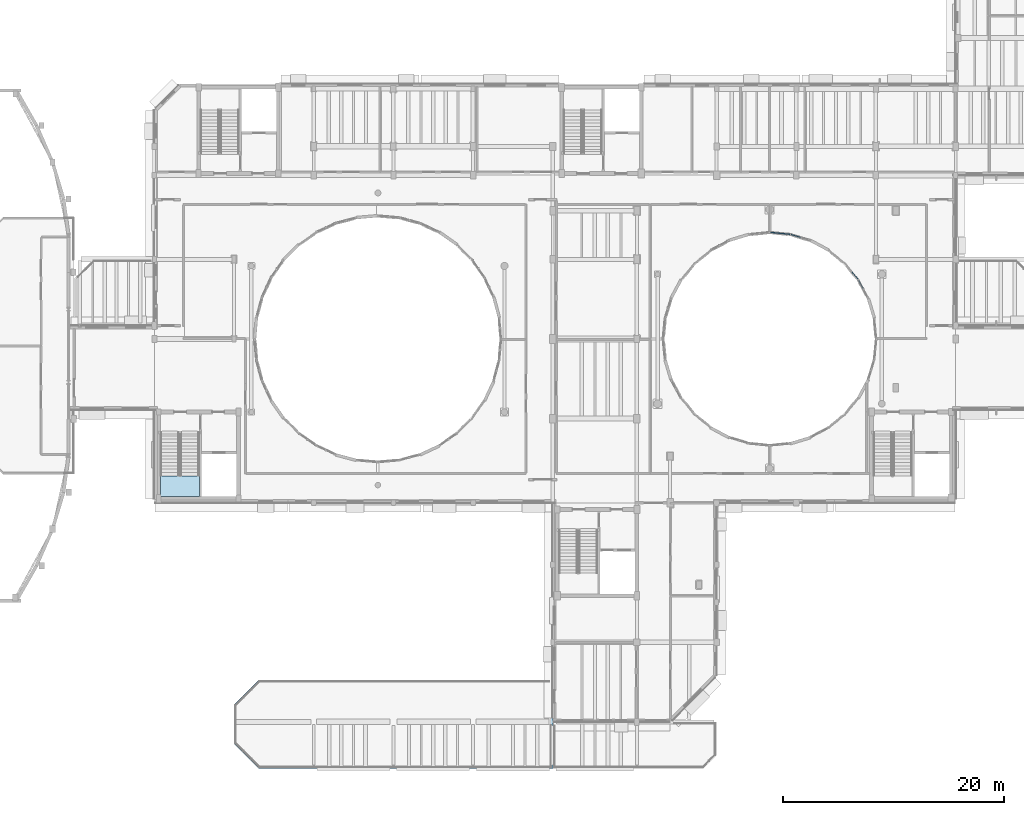
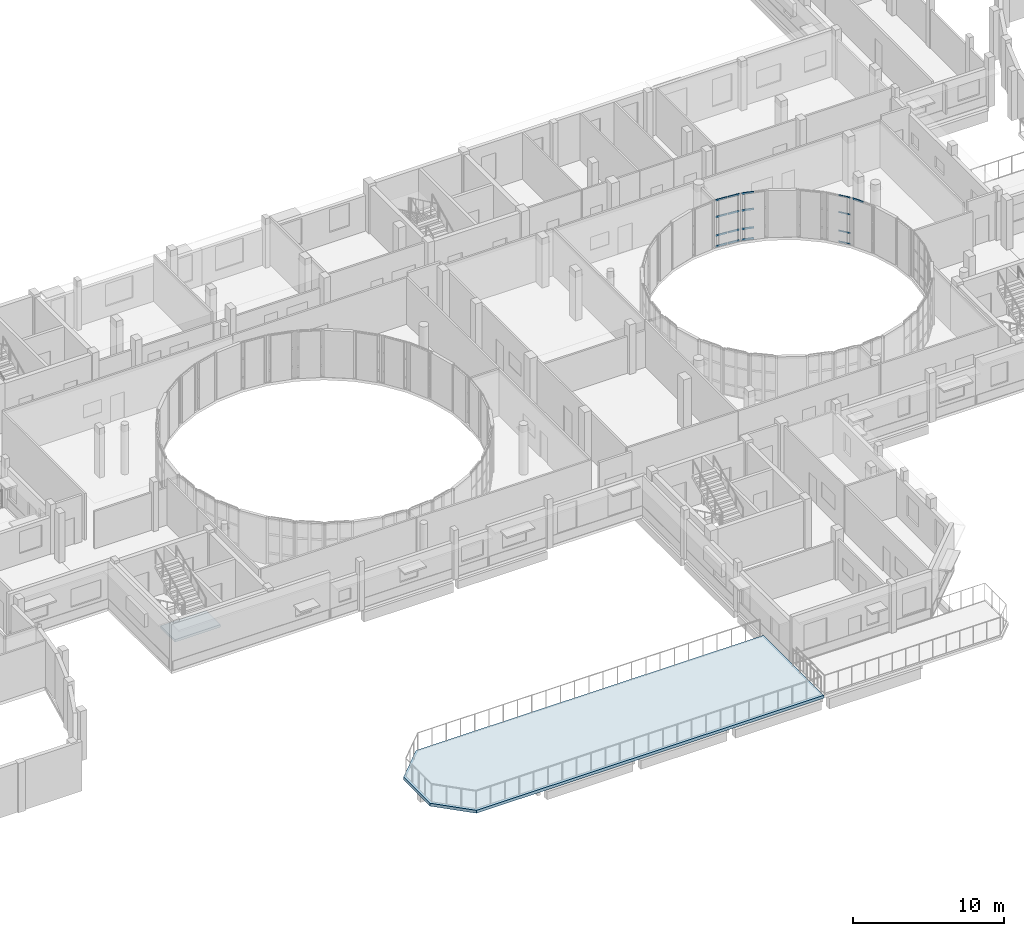
# One storey, part 53 of 92: 17 members, 2 slabs, 5 elements without a shape of their own.
"""IFC4 building model written with IfcOpenShell, lengths in metres."""

from ifc_helpers import new_model, si_unit, direction, frame, origin, origin_2d, place, context, subcontext, project, spatial, polyline, hollow_rectangle, outline, extrude, material, layer, layer_set, material_profile, profile_set, type_object, element, aggregate, save


model = new_model("IFC4")

# Units and contexts
model_context = context("Model", 3, precision=1e-05, world=origin(), true_north=direction((0.0, 1.0)))
body_context = subcontext(model_context, "Body", "Model", "MODEL_VIEW")
ifc_project = project(units=[si_unit("LENGTHUNIT", "METRE"), si_unit("AREAUNIT", "SQUARE_METRE"), si_unit("VOLUMEUNIT", "CUBIC_METRE"), si_unit("PLANEANGLEUNIT", "RADIAN"), si_unit("MASSUNIT", "GRAM", prefix="KILO")], contexts=[model_context])

# Site, building, storey
site_placement = place(None, origin())
site = spatial("IfcSite", under=ifc_project, at=site_placement, CompositionType="ELEMENT")
building_placement = place(site_placement, origin())
building = spatial("IfcBuilding", under=site, at=building_placement, Name="Kelanivale Promenade Academy", CompositionType="ELEMENT")
storey_placement = place(building_placement, frame((0.0, 0.0, 8.199951171875)))
storey = spatial("IfcBuildingStorey", under=building, at=storey_placement, Name="L02", CompositionType="ELEMENT", Elevation=8.199951171875)

# Curtain wall, members
ifc_material_1 = material(Name="Bronze anodised aluminium and solar-control low-E glass", Category="aluminium")
ifc_layer_1 = layer(ifc_material_1, 0.159912109375)
ifc_layer_set_1 = layer_set([ifc_layer_1], Name="Bronze anodised aluminium and solar-control low-E glass")
curtain_wall_type_1 = type_object("IfcCurtainWallType", Name="CW-09 Curtain Wall 1650mm Module", PredefinedType="USERDEFINED", material=ifc_layer_set_1)
curtain_wall_1_placement = place(storey_placement, origin())
curtain_wall_1 = element("IfcCurtainWall", 1, at=curtain_wall_1_placement, inside=storey, type_object=curtain_wall_type_1, Name="L02 courtyard curtain wall CW-09", ObjectType="UNITISED GLAZING", PredefinedType="USERDEFINED")
ifc_material_2 = material(Name="Bronze anodised aluminium EN AW-6063 T6", Category="aluminium")
ifc_material_profile_1 = material_profile(ifc_material_2, hollow_rectangle(XDim=0.050048828125, YDim=0.10009765625, WallThickness=0.0029296875, at=origin_2d()), Name="ALU 50x100x3.0")
ifc_profile_set_1 = profile_set([ifc_material_profile_1], Name="Bronze anodised aluminium EN AW-6063 T6")
member_type_1 = type_object("IfcMemberType", Name="CWT-01 ALU 50x100x3.0", PredefinedType="USERDEFINED", material=ifc_profile_set_1)
member_1_placement = place(storey_placement, frame((106.76904296875, 62.21337890625, 0.025146484375), z_axis=(-0.634169827677, 0.773193785324, 0.0), x_axis=(-0.773193785324, -0.634169827677, 0.0)))
member_1 = element("IfcMember", 2, at=member_1_placement, type_object=member_type_1, Name="CW-09 transom 1.1", ObjectType="TRANSOM", PredefinedType="USERDEFINED", context=body_context, shape_type="SweptSolid", body=[
    extrude(hollow_rectangle(XDim=0.050048828125, YDim=0.10009765625, WallThickness=0.0029296875, at=origin_2d()), origin(), (0.0, 0.0, 1.0), 0.841064453125),
])
member_2_placement = place(storey_placement, frame((106.76904296875, 62.21337890625, 0.900146484375), z_axis=(-0.634169827677, 0.773193785324, 0.0), x_axis=(-0.773193785324, -0.634169827677, 0.0)))
member_2 = element("IfcMember", 3, at=member_2_placement, type_object=member_type_1, Name="CW-09 transom 1.2", ObjectType="TRANSOM", PredefinedType="USERDEFINED", context=body_context, shape_type="SweptSolid", body=[
    extrude(hollow_rectangle(XDim=0.050048828125, YDim=0.10009765625, WallThickness=0.0029296875, at=origin_2d()), origin(), (0.0, 0.0, 1.0), 0.841064453125),
])
member_3_placement = place(storey_placement, frame((106.76904296875, 62.21337890625, 2.400146484375), z_axis=(-0.634169827677, 0.773193785324, 0.0), x_axis=(-0.773193785324, -0.634169827677, 0.0)))
member_3 = element("IfcMember", 4, at=member_3_placement, type_object=member_type_1, Name="CW-09 transom 1.3", ObjectType="TRANSOM", PredefinedType="USERDEFINED", context=body_context, shape_type="SweptSolid", body=[
    extrude(hollow_rectangle(XDim=0.050048828125, YDim=0.10009765625, WallThickness=0.0029296875, at=origin_2d()), origin(), (0.0, 0.0, 1.0), 0.841064453125),
])
member_4_placement = place(storey_placement, frame((106.76904296875, 62.21337890625, 3.755126953125), z_axis=(-0.634169827677, 0.773193785324, 0.0), x_axis=(-0.773193785324, -0.634169827677, 0.0)))
member_4 = element("IfcMember", 5, at=member_4_placement, type_object=member_type_1, Name="CW-09 transom 1.4", ObjectType="TRANSOM", PredefinedType="USERDEFINED", context=body_context, shape_type="SweptSolid", body=[
    extrude(hollow_rectangle(XDim=0.050048828125, YDim=0.10009765625, WallThickness=0.0029296875, at=origin_2d()), origin(), (0.0, 0.0, 1.0), 0.841064453125),
])
aggregate(curtain_wall_1, [member_1, member_2, member_3, member_4])

ifc_layer_2 = layer(ifc_material_1, 0.179931640625)
ifc_layer_set_2 = layer_set([ifc_layer_2], Name="Bronze anodised aluminium and solar-control low-E glass")
curtain_wall_type_2 = type_object("IfcCurtainWallType", Name="CW-11 Curtain Wall 1950mm Module", PredefinedType="USERDEFINED", material=ifc_layer_set_2)
curtain_wall_2_placement = place(storey_placement, origin())
curtain_wall_2 = element("IfcCurtainWall", 6, at=curtain_wall_2_placement, inside=storey, type_object=curtain_wall_type_2, Name="L02 courtyard curtain wall CW-11", ObjectType="UNITISED GLAZING", PredefinedType="USERDEFINED")
ifc_material_profile_2 = material_profile(ifc_material_2, hollow_rectangle(XDim=0.050048828125, YDim=0.14990234375, WallThickness=0.00341796875, at=origin_2d()), Name="ALU 50x150x3.5")
ifc_profile_set_2 = profile_set([ifc_material_profile_2], Name="Bronze anodised aluminium EN AW-6063 T6")
member_type_2 = type_object("IfcMemberType", Name="CWT-03 ALU 50x150x3.5", PredefinedType="USERDEFINED", material=ifc_profile_set_2)
member_5_placement = place(storey_placement, frame((101.546875, 65.992431640625, 0.025146484375), z_axis=(-0.956984636742, 0.290138596258, 0.0), x_axis=(-0.290138596258, -0.956984636742, 0.0)))
member_5 = element("IfcMember", 7, at=member_5_placement, type_object=member_type_2, Name="CW-11 transom 2.1", ObjectType="TRANSOM", PredefinedType="USERDEFINED", context=body_context, shape_type="SweptSolid", body=[
    extrude(hollow_rectangle(XDim=0.050048828125, YDim=0.14990234375, WallThickness=0.00341796875, at=origin_2d()), origin(), (0.0, 0.0, 1.0), 0.826416015625),
])
member_6_placement = place(storey_placement, frame((101.546875, 65.992431640625, 0.900146484375), z_axis=(-0.956984636742, 0.290138596258, 0.0), x_axis=(-0.290138596258, -0.956984636742, 0.0)))
member_6 = element("IfcMember", 8, at=member_6_placement, type_object=member_type_2, Name="CW-11 transom 2.2", ObjectType="TRANSOM", PredefinedType="USERDEFINED", context=body_context, shape_type="SweptSolid", body=[
    extrude(hollow_rectangle(XDim=0.050048828125, YDim=0.14990234375, WallThickness=0.00341796875, at=origin_2d()), origin(), (0.0, 0.0, 1.0), 0.826416015625),
])
member_7_placement = place(storey_placement, frame((101.546875, 65.992431640625, 2.400146484375), z_axis=(-0.956984636742, 0.290138596258, 0.0), x_axis=(-0.290138596258, -0.956984636742, 0.0)))
member_7 = element("IfcMember", 9, at=member_7_placement, type_object=member_type_2, Name="CW-11 transom 2.3", ObjectType="TRANSOM", PredefinedType="USERDEFINED", context=body_context, shape_type="SweptSolid", body=[
    extrude(hollow_rectangle(XDim=0.050048828125, YDim=0.14990234375, WallThickness=0.00341796875, at=origin_2d()), origin(), (0.0, 0.0, 1.0), 0.826416015625),
])
member_8_placement = place(storey_placement, frame((101.546875, 65.992431640625, 3.755126953125), z_axis=(-0.956984636742, 0.290138596258, 0.0), x_axis=(-0.290138596258, -0.956984636742, 0.0)))
member_8 = element("IfcMember", 10, at=member_8_placement, type_object=member_type_2, Name="CW-11 transom 2.4", ObjectType="TRANSOM", PredefinedType="USERDEFINED", context=body_context, shape_type="SweptSolid", body=[
    extrude(hollow_rectangle(XDim=0.050048828125, YDim=0.14990234375, WallThickness=0.00341796875, at=origin_2d()), origin(), (0.0, 0.0, 1.0), 0.826416015625),
])
aggregate(curtain_wall_2, [member_5, member_6, member_7, member_8])

# Curtain wall, member
ifc_layer_3 = layer(ifc_material_1, 0.179931640625)
ifc_layer_set_3 = layer_set([ifc_layer_3], Name="Bronze anodised aluminium and solar-control low-E glass")
curtain_wall_type_3 = type_object("IfcCurtainWallType", Name="CW-08 Curtain Wall 1500mm Module", PredefinedType="USERDEFINED", material=ifc_layer_set_3)
curtain_wall_3_placement = place(storey_placement, origin())
curtain_wall_3 = element("IfcCurtainWall", 11, at=curtain_wall_3_placement, inside=storey, type_object=curtain_wall_type_3, Name="L02 courtyard curtain wall CW-08", ObjectType="UNITISED GLAZING", PredefinedType="USERDEFINED")
ifc_material_profile_3 = material_profile(ifc_material_2, hollow_rectangle(XDim=0.06005859375, YDim=0.139892578125, WallThickness=0.00341796875, at=origin_2d()), Name="ALU 60x140x3.5")
ifc_profile_set_3 = profile_set([ifc_material_profile_3], Name="Bronze anodised aluminium EN AW-6063 T6")
member_type_3 = type_object("IfcMemberType", Name="CWT-04 ALU 60x140x3.5", PredefinedType="USERDEFINED", material=ifc_profile_set_3)
member_9_placement = place(storey_placement, frame((107.2421875, 61.357666015625, 3.75), z_axis=(-0.471385192805, 0.881927434659, 0.0), x_axis=(-0.881927434659, -0.471385192805, 0.0)))
member_9 = element("IfcMember", 12, at=member_9_placement, type_object=member_type_3, Name="CW-08 transom 2.4", ObjectType="TRANSOM", PredefinedType="USERDEFINED", context=body_context, shape_type="SweptSolid", body=[
    extrude(hollow_rectangle(XDim=0.06005859375, YDim=0.139892578125, WallThickness=0.00341796875, at=origin_2d()), origin(), (0.0, 0.0, 1.0), 0.82666015625),
])
aggregate(curtain_wall_3, [member_9])

# Curtain wall, members
ifc_layer_4 = layer(ifc_material_1, 0.159912109375)
ifc_layer_set_4 = layer_set([ifc_layer_4], Name="Bronze anodised aluminium and solar-control low-E glass")
curtain_wall_type_4 = type_object("IfcCurtainWallType", Name="CW-12 Curtain Wall 1200mm Module", PredefinedType="USERDEFINED", material=ifc_layer_set_4)
curtain_wall_4_placement = place(storey_placement, origin())
curtain_wall_4 = element("IfcCurtainWall", 13, at=curtain_wall_4_placement, inside=storey, type_object=curtain_wall_type_4, Name="L02 courtyard curtain wall CW-12", ObjectType="UNITISED GLAZING", PredefinedType="USERDEFINED")
member_10_placement = place(storey_placement, frame((100.602294921875, 66.262451171875, 0.030029296875), z_axis=(-0.995172582537, 0.0981403636, 0.0), x_axis=(-0.0981403636, -0.995172582537, 0.0)))
member_10 = element("IfcMember", 14, at=member_10_placement, type_object=member_type_3, Name="CW-12 transom 1.1", ObjectType="TRANSOM", PredefinedType="USERDEFINED", context=body_context, shape_type="SweptSolid", body=[
    extrude(hollow_rectangle(XDim=0.06005859375, YDim=0.139892578125, WallThickness=0.00341796875, at=origin_2d()), origin(), (0.0, 0.0, 1.0), 0.833251953125),
])
member_11_placement = place(storey_placement, frame((100.602294921875, 66.262451171875, 0.900146484375), z_axis=(-0.995172582537, 0.0981403636, 0.0), x_axis=(-0.0981403636, -0.995172582537, 0.0)))
member_11 = element("IfcMember", 15, at=member_11_placement, type_object=member_type_3, Name="CW-12 transom 1.2", ObjectType="TRANSOM", PredefinedType="USERDEFINED", context=body_context, shape_type="SweptSolid", body=[
    extrude(hollow_rectangle(XDim=0.06005859375, YDim=0.139892578125, WallThickness=0.00341796875, at=origin_2d()), origin(), (0.0, 0.0, 1.0), 0.833251953125),
])
member_12_placement = place(storey_placement, frame((100.602294921875, 66.262451171875, 2.400146484375), z_axis=(-0.995172582537, 0.0981403636, 0.0), x_axis=(-0.0981403636, -0.995172582537, 0.0)))
member_12 = element("IfcMember", 16, at=member_12_placement, type_object=member_type_3, Name="CW-12 transom 1.3", ObjectType="TRANSOM", PredefinedType="USERDEFINED", context=body_context, shape_type="SweptSolid", body=[
    extrude(hollow_rectangle(XDim=0.06005859375, YDim=0.139892578125, WallThickness=0.00341796875, at=origin_2d()), origin(), (0.0, 0.0, 1.0), 0.833251953125),
])
member_13_placement = place(storey_placement, frame((100.602294921875, 66.262451171875, 3.75), z_axis=(-0.995172582537, 0.0981403636, 0.0), x_axis=(-0.0981403636, -0.995172582537, 0.0)))
member_13 = element("IfcMember", 17, at=member_13_placement, type_object=member_type_3, Name="CW-12 transom 1.4", ObjectType="TRANSOM", PredefinedType="USERDEFINED", context=body_context, shape_type="SweptSolid", body=[
    extrude(hollow_rectangle(XDim=0.06005859375, YDim=0.139892578125, WallThickness=0.00341796875, at=origin_2d()), origin(), (0.0, 0.0, 1.0), 0.833251953125),
])
member_14_placement = place(storey_placement, frame((99.708251953125, 66.3505859375, 0.030029296875), z_axis=(-0.995146766026, 0.098401799113, 0.0), x_axis=(-0.098401799113, -0.995146766026, 0.0)))
member_14 = element("IfcMember", 18, at=member_14_placement, type_object=member_type_3, Name="CW-12 transom 2.1", ObjectType="TRANSOM", PredefinedType="USERDEFINED", context=body_context, shape_type="SweptSolid", body=[
    extrude(hollow_rectangle(XDim=0.06005859375, YDim=0.139892578125, WallThickness=0.00341796875, at=origin_2d()), origin(), (0.0, 0.0, 1.0), 0.833740234375),
])
member_15_placement = place(storey_placement, frame((99.708251953125, 66.3505859375, 0.900146484375), z_axis=(-0.995146766026, 0.098401799113, 0.0), x_axis=(-0.098401799113, -0.995146766026, 0.0)))
member_15 = element("IfcMember", 19, at=member_15_placement, type_object=member_type_3, Name="CW-12 transom 2.2", ObjectType="TRANSOM", PredefinedType="USERDEFINED", context=body_context, shape_type="SweptSolid", body=[
    extrude(hollow_rectangle(XDim=0.06005859375, YDim=0.139892578125, WallThickness=0.00341796875, at=origin_2d()), origin(), (0.0, 0.0, 1.0), 0.833740234375),
])
member_16_placement = place(storey_placement, frame((99.708251953125, 66.3505859375, 2.400146484375), z_axis=(-0.995146766026, 0.098401799113, 0.0), x_axis=(-0.098401799113, -0.995146766026, 0.0)))
member_16 = element("IfcMember", 20, at=member_16_placement, type_object=member_type_3, Name="CW-12 transom 2.3", ObjectType="TRANSOM", PredefinedType="USERDEFINED", context=body_context, shape_type="SweptSolid", body=[
    extrude(hollow_rectangle(XDim=0.06005859375, YDim=0.139892578125, WallThickness=0.00341796875, at=origin_2d()), origin(), (0.0, 0.0, 1.0), 0.833740234375),
])
member_17_placement = place(storey_placement, frame((99.708251953125, 66.3505859375, 3.75), z_axis=(-0.995146766026, 0.098401799113, 0.0), x_axis=(-0.098401799113, -0.995146766026, 0.0)))
member_17 = element("IfcMember", 21, at=member_17_placement, type_object=member_type_3, Name="CW-12 transom 2.4", ObjectType="TRANSOM", PredefinedType="USERDEFINED", context=body_context, shape_type="SweptSolid", body=[
    extrude(hollow_rectangle(XDim=0.06005859375, YDim=0.139892578125, WallThickness=0.00341796875, at=origin_2d()), origin(), (0.0, 0.0, 1.0), 0.833740234375),
])
aggregate(curtain_wall_4, [member_10, member_11, member_12, member_13, member_14, member_15, member_16, member_17])

# Stair, slab
ifc_material_3 = material(Name="Concrete C35/45", Category="concrete")
stair_type = type_object("IfcStairType", Name="ST-T02 Protected dog-leg upper-storey stair", PredefinedType="HALF_TURN_STAIR", material=ifc_material_3)
stair_placement = place(storey_placement, origin())
stair = element("IfcStair", 22, at=stair_placement, inside=storey, type_object=stair_type, Name="L02 ST-06", PredefinedType="HALF_TURN_STAIR")
ifc_layer_5 = layer(ifc_material_3, 0.199951171875)
ifc_layer_set_5 = layer_set([ifc_layer_5], Name="Concrete C35/45")
slab_type_1 = type_object("IfcSlabType", Name="LS-01 Slab 200mm", PredefinedType="LANDING", material=ifc_layer_set_5)
slab_1_placement = place(storey_placement, frame((0.0, 0.0, 1.800048828125)))
slab_1 = element("IfcSlab", 23, at=slab_1_placement, type_object=slab_type_1, Name="ST-06 landing 1", PredefinedType="LANDING", context=body_context, shape_type="SweptSolid", body=[
    extrude(outline(polyline([(43.764892578125, 44.445068359375), (43.764892578125, 42.56494140625), (47.264892578125, 42.56494140625), (47.264892578125, 44.445068359375), (43.764892578125, 44.445068359375)])), origin(), (0.0, 0.0, 1.0), 0.199951171875),
])
aggregate(stair, [slab_1])

# Slab
ifc_layer_6 = layer(ifc_material_3, 0.235107421875)
ifc_layer_set_6 = layer_set([ifc_layer_6], Name="Concrete C35/45")
slab_type_2 = type_object("IfcSlabType", Name="PD-01 Slab 235mm", PredefinedType="FLOOR", material=ifc_layer_set_6)
slab_2_placement = place(storey_placement, frame((0.0, 0.0, -0.23486328125)))
element("IfcSlab", 24, at=slab_2_placement, inside=storey, type_object=slab_type_2, Name="Promenade Rooftop Play Deck", PredefinedType="FLOOR", context=body_context, shape_type="SweptSolid", body=[
    extrude(outline(polyline([(52.639892578125, 18.0), (79.199951171875, 18.0), (79.199951171875, 26.0), (52.639892578125, 26.0), (50.39990234375, 23.760009765625), (50.39990234375, 20.239990234375), (52.639892578125, 18.0)])), origin(), (0.0, 0.0, 1.0), 0.23486328125),
])

save(model, "model.ifc")
